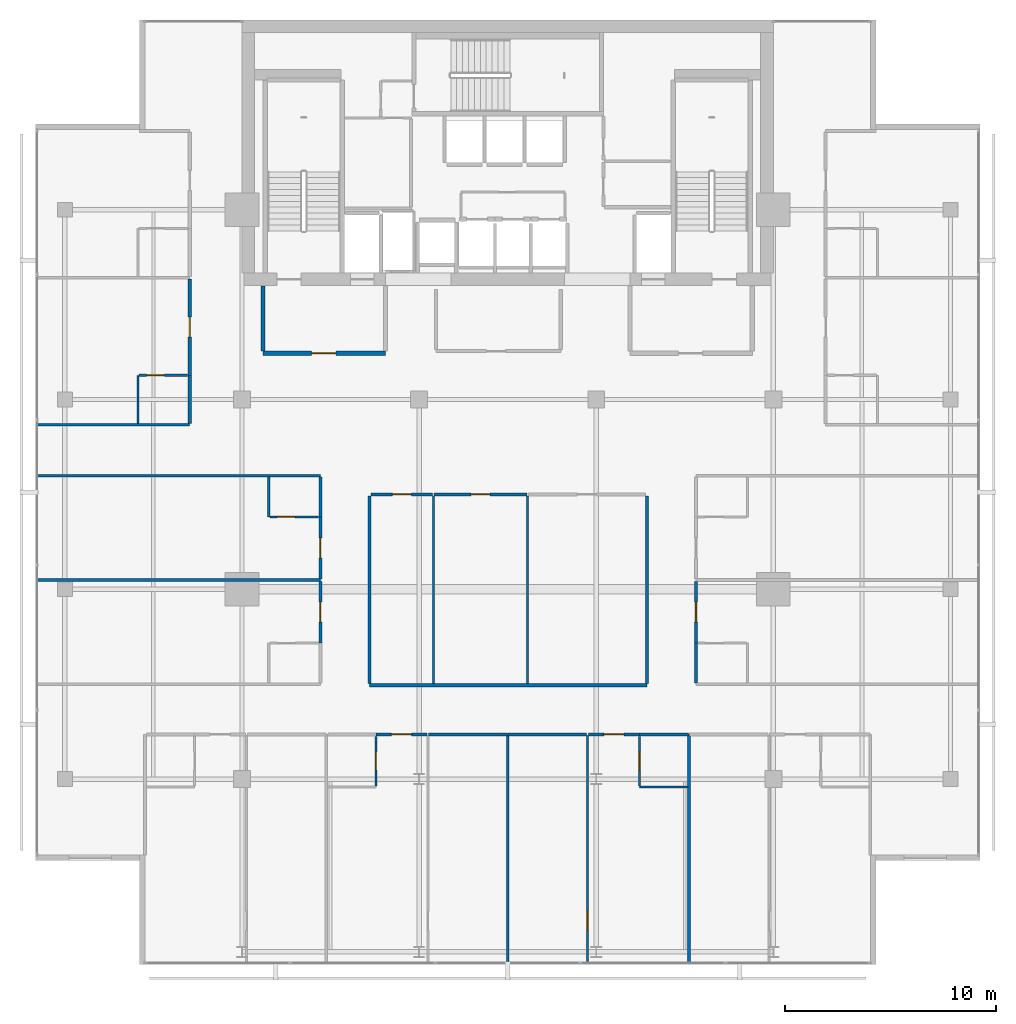
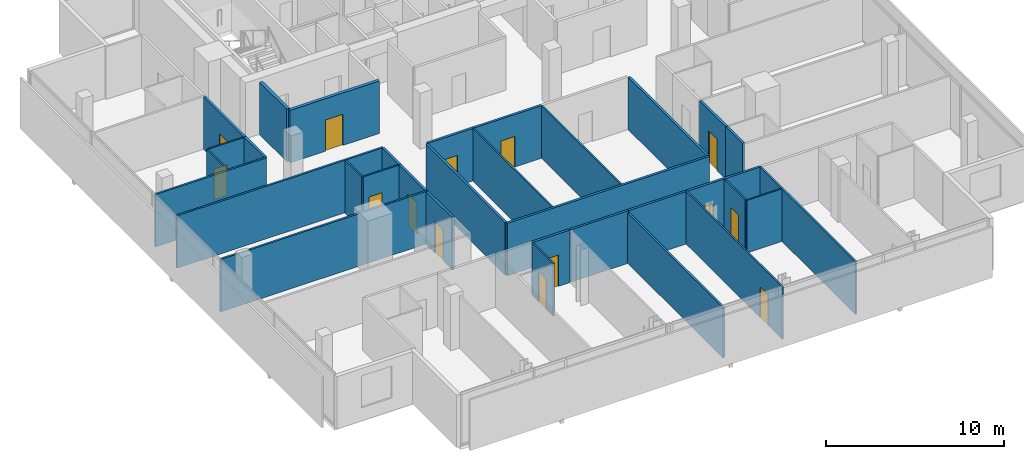
# One storey, part 20 of 26: 34 walls, 14 doors, 14 openings.
"""IFC4 building model written with IfcOpenShell, lengths in metres."""

from ifc_helpers import new_model, si_unit, direction, frame, frame_2d, origin, place, context, subcontext, project, spatial, rectangle, extrude, material, layer, layer_set, type_object, element, fill, save


model = new_model("IFC4")

# Units and contexts
model_context = context("Model", 3, precision=1e-05, world=origin(), true_north=direction((0.0, 1.0)))
body_context = subcontext(model_context, "Body", "Model", "MODEL_VIEW")
ifc_project = project(units=[si_unit("LENGTHUNIT", "METRE"), si_unit("AREAUNIT", "SQUARE_METRE"), si_unit("VOLUMEUNIT", "CUBIC_METRE"), si_unit("PLANEANGLEUNIT", "RADIAN"), si_unit("MASSUNIT", "GRAM", prefix="KILO")], contexts=[model_context])

# Site, building, storey
site_placement = place(None, origin())
site = spatial("IfcSite", under=ifc_project, at=site_placement, CompositionType="ELEMENT")
building_placement = place(site_placement, origin())
building = spatial("IfcBuilding", under=site, at=building_placement, Name="Maruvema Waterfront Hotel and Observation Tower", CompositionType="ELEMENT")
storey_placement = place(building_placement, frame((0.0, 0.0, 258.64990234375)))
storey = spatial("IfcBuildingStorey", under=building, at=storey_placement, Name="L63", CompositionType="ELEMENT", Elevation=258.64990234375)

# Walls
ifc_material_1 = material(Name="Twin-stud acoustic gypsum drywall", Category="gypsum")
ifc_layer_1 = layer(ifc_material_1, 0.14990234375, Name="Acoustic Corridor and Suite Demising Wall 150 mm")
ifc_layer_set_1 = layer_set([ifc_layer_1], Name="Twin-stud acoustic gypsum drywall")
wall_type_1 = type_object("IfcWallType", Name="Acoustic Corridor and Suite Demising Wall 150 mm", PredefinedType="PARTITIONING", material=ifc_layer_set_1)
wall_1_placement = place(storey_placement, frame((31.25, 22.449951171875, 0.0), z_axis=(0.0, 0.0, 1.0), x_axis=(1.0, 0.0, 0.0)))
element("IfcWall", 1, at=wall_1_placement, inside=storey, type_object=wall_type_1, Name="L63 L63-Z3M Back Wall 025", PredefinedType="PARTITIONING", context=body_context, shape_type="SweptSolid", body=[
    extrude(rectangle(XDim=13.14990234375, YDim=0.14990234375, at=frame_2d((6.574951171875, 0.0))), origin(), (0.0, 0.0, 1.0), 3.610107421875),
])
for number, where, z_axis, x_axis, name in (
    (2, (31.25, 22.530029296875, 0.0), (0.0, 0.0, 1.0), (0.0, 1.0, 0.0), "L63 L63-Z3M West Wall 026"),
    (3, (44.39990234375, 22.530029296875, 0.0), (0.0, 0.0, 1.0), (0.0, 1.0, 0.0), "L63 L63-Z3M East Wall 027"),
):
    element("IfcWall", number, at=place(storey_placement, frame(where, z_axis=z_axis, x_axis=x_axis)), inside=storey, type_object=wall_type_1, Name=name, PredefinedType="PARTITIONING", context=body_context, shape_type="SweptSolid", body=[
        extrude(rectangle(XDim=8.889892578125, YDim=0.14990234375, at=frame_2d((4.44482421875, 0.0))), origin(), (0.0, 0.0, 1.0), 3.610107421875),
    ])

# Wall, opening, door
wall_2_placement = place(storey_placement, frame((31.31005859375, 31.5, 0.0), z_axis=(0.0, 0.0, 1.0), x_axis=(1.0, 0.0, 0.0)))
wall_2 = element("IfcWall", 4, at=wall_2_placement, inside=storey, type_object=wall_type_1, Name="L63 L63-Z3M Front 1 028", PredefinedType="PARTITIONING", context=body_context, shape_type="SweptSolid", body=[
    extrude(rectangle(XDim=2.934326171875, YDim=0.14990234375, at=frame_2d((1.46728515625, 0.0))), origin(), (0.0, 0.0, 1.0), 3.610107421875),
])
opening_1_placement = place(wall_2_placement, frame((1.017333984375, 0.0, 0.0)))
opening_1 = element("IfcOpeningElement", 5, at=opening_1_placement, cuts=wall_2, Name="Opening DR-090", PredefinedType="OPENING", context=body_context, shape_type="SweptSolid", body=[
    extrude(rectangle(XDim=0.89990234375, YDim=2.10009765625, at=frame_2d((0.449951171875, 1.050048828125))), frame((0.0, 0.0849609375, 0.0), z_axis=(0.0, -1.0, 0.0), x_axis=(1.0, 0.0, 0.0)), (0.0, 0.0, 1.0), 0.169921875),
])
ifc_material_2 = material(Name="Solid-core lacquered timber leaf", Category="wood")
door_type_1 = type_object("IfcDoorType", Name="Accessible Toilet and Room Door 900x2100 mm", OperationType="NOTDEFINED", PredefinedType="DOOR", material=ifc_material_2)
door_1_placement = place(opening_1_placement, origin())
door_1 = element("IfcDoor", 6, at=door_1_placement, inside=storey, type_object=door_type_1, Name="L63 Sky Study Office 1 Door", OperationType="SINGLE_SWING_RIGHT", OverallHeight=2.10009765625, OverallWidth=0.89990234375, PredefinedType="DOOR", context=body_context, shape_type="SweptSolid", body=[
    extrude(rectangle(XDim=0.89990234375, YDim=2.10009765625, at=frame_2d((0.449951171875, 1.050048828125))), frame((0.0, 0.02490234375, 0.0), z_axis=(0.0, -1.0, 0.0), x_axis=(1.0, 0.0, 0.0)), (0.0, 0.0, 1.0), 0.050048828125),
])
fill(opening_1, door_1)

wall_3_placement = place(storey_placement, frame((34.304443359375, 31.5, 0.0), z_axis=(0.0, 0.0, 1.0), x_axis=(1.0, 0.0, 0.0)))
wall_3 = element("IfcWall", 7, at=wall_3_placement, inside=storey, type_object=wall_type_1, Name="L63 L63-Z3M Front 2 030", PredefinedType="PARTITIONING", context=body_context, shape_type="SweptSolid", body=[
    extrude(rectangle(XDim=4.4111328125, YDim=0.14990234375, at=frame_2d((2.20556640625, 0.0))), origin(), (0.0, 0.0, 1.0), 3.610107421875),
])
opening_2_placement = place(wall_3_placement, frame((1.755615234375, 0.0, 0.0)))
opening_2 = element("IfcOpeningElement", 8, at=opening_2_placement, cuts=wall_3, Name="Opening DR-090", PredefinedType="OPENING", context=body_context, shape_type="SweptSolid", body=[
    extrude(rectangle(XDim=0.89990234375, YDim=2.10009765625, at=frame_2d((0.449951171875, 1.050048828125))), frame((0.0, 0.0849609375, 0.0), z_axis=(0.0, -1.0, 0.0), x_axis=(1.0, 0.0, 0.0)), (0.0, 0.0, 1.0), 0.169921875),
])
door_2_placement = place(opening_2_placement, origin())
door_2 = element("IfcDoor", 9, at=door_2_placement, inside=storey, type_object=door_type_1, Name="L63 Sky Study Office 2 Door", OperationType="SINGLE_SWING_LEFT", OverallHeight=2.10009765625, OverallWidth=0.89990234375, PredefinedType="DOOR", context=body_context, shape_type="SweptSolid", body=[
    extrude(rectangle(XDim=0.89990234375, YDim=2.10009765625, at=frame_2d((0.449951171875, 1.050048828125))), frame((0.0, 0.02490234375, 0.0), z_axis=(0.0, -1.0, 0.0), x_axis=(1.0, 0.0, 0.0)), (0.0, 0.0, 1.0), 0.050048828125),
])
fill(opening_2, door_2)

wall_4_placement = place(storey_placement, frame((31.550048828125, 20.1201171875, 0.0), z_axis=(0.0, 0.0, 1.0), x_axis=(1.0, 0.0, 0.0)))
wall_4 = element("IfcWall", 10, at=wall_4_placement, inside=storey, type_object=wall_type_1, Name="L63 Unit L63-S2 Corridor Wall 045", PredefinedType="PARTITIONING", context=body_context, shape_type="SweptSolid", body=[
    extrude(rectangle(XDim=2.426025390625, YDim=0.14990234375, at=frame_2d((1.212890625, 0.0))), origin(), (0.0, 0.0, 1.0), 3.610107421875),
])
opening_3_placement = place(wall_4_placement, frame((0.738037109375, 0.0, 0.0)))
opening_3 = element("IfcOpeningElement", 11, at=opening_3_placement, cuts=wall_4, Name="Opening DR-095", PredefinedType="OPENING", context=body_context, shape_type="SweptSolid", body=[
    extrude(rectangle(XDim=0.949951171875, YDim=2.14990234375, at=frame_2d((0.47509765625, 1.074951171875))), frame((0.0, 0.0849609375, 0.0), z_axis=(0.0, -1.0, 0.0), x_axis=(1.0, 0.0, 0.0)), (0.0, 0.0, 1.0), 0.169921875),
])
ifc_material_3 = material(Name="Acoustic solid-core hardwood timber leaf", Category="wood")
door_type_2 = type_object("IfcDoorType", Name="Guestroom Entrance Fire Door 950x2150 mm", OperationType="NOTDEFINED", PredefinedType="DOOR", material=ifc_material_3)
door_3_placement = place(opening_3_placement, frame((0.949951171875, 0.0, 0.0), z_axis=(0.0, 0.0, 1.0), x_axis=(-1.0, 0.0, 0.0)))
door_3 = element("IfcDoor", 12, at=door_3_placement, inside=storey, type_object=door_type_2, Name="L63 Unit L63-S2 Entrance Door", OperationType="SINGLE_SWING_LEFT", OverallHeight=2.14990234375, OverallWidth=0.949951171875, PredefinedType="DOOR", context=body_context, shape_type="SweptSolid", body=[
    extrude(rectangle(XDim=0.949951171875, YDim=2.14990234375, at=frame_2d((0.47509765625, 1.074951171875))), frame((0.0, 0.02490234375, 0.0), z_axis=(0.0, -1.0, 0.0), x_axis=(1.0, 0.0, 0.0)), (0.0, 0.0, 1.0), 0.050048828125),
])
fill(opening_3, door_3)

# Walls
wall_5_placement = place(storey_placement, frame((34.055908203125, 20.1201171875, 0.0), z_axis=(0.0, 0.0, 1.0), x_axis=(1.0, 0.0, 0.0)))
element("IfcWall", 13, at=wall_5_placement, inside=storey, type_object=wall_type_1, Name="L63 Bedroom L63-S2 Back Wall 046", PredefinedType="PARTITIONING", context=body_context, shape_type="SweptSolid", body=[
    extrude(rectangle(XDim=3.72412109375, YDim=0.14990234375, at=frame_2d((1.862060546875, 0.0))), origin(), (0.0, 0.0, 1.0), 3.610107421875),
])
wall_6_placement = place(storey_placement, frame((44.050048828125, 20.1201171875, 0.0), z_axis=(0.0, 0.0, 1.0), x_axis=(1.0, 0.0, 0.0)))
element("IfcWall", 14, at=wall_6_placement, inside=storey, type_object=wall_type_1, Name="L63 Bath L63-S3 Back Wall 049", PredefinedType="PARTITIONING", context=body_context, shape_type="SweptSolid", body=[
    extrude(rectangle(XDim=2.329833984375, YDim=0.14990234375, at=frame_2d((1.1650390625, 0.0))), origin(), (0.0, 0.0, 1.0), 3.610107421875),
])
wall_7_placement = place(storey_placement, frame((37.820068359375, 20.1201171875, 0.0), z_axis=(0.0, 0.0, 1.0), x_axis=(1.0, 0.0, 0.0)))
element("IfcWall", 15, at=wall_7_placement, inside=storey, type_object=wall_type_1, Name="L63 Bedroom L63-S3 Back Wall 052", PredefinedType="PARTITIONING", context=body_context, shape_type="SweptSolid", body=[
    extrude(rectangle(XDim=3.723876953125, YDim=0.14990234375, at=frame_2d((1.86181640625, 0.0))), origin(), (0.0, 0.0, 1.0), 3.610107421875),
])

# Wall, opening, door
wall_8_placement = place(storey_placement, frame((41.6240234375, 20.1201171875, 0.0), z_axis=(0.0, 0.0, 1.0), x_axis=(1.0, 0.0, 0.0)))
wall_8 = element("IfcWall", 16, at=wall_8_placement, inside=storey, type_object=wall_type_1, Name="L63 Unit L63-S3 Corridor Wall 053", PredefinedType="PARTITIONING", context=body_context, shape_type="SweptSolid", body=[
    extrude(rectangle(XDim=2.426025390625, YDim=0.14990234375, at=frame_2d((1.212890625, 0.0))), origin(), (0.0, 0.0, 1.0), 3.610107421875),
])
opening_4_placement = place(wall_8_placement, frame((0.738037109375, 0.0, 0.0)))
opening_4 = element("IfcOpeningElement", 17, at=opening_4_placement, cuts=wall_8, Name="Opening DR-095", PredefinedType="OPENING", context=body_context, shape_type="SweptSolid", body=[
    extrude(rectangle(XDim=0.949951171875, YDim=2.14990234375, at=frame_2d((0.47509765625, 1.074951171875))), frame((0.0, 0.0849609375, 0.0), z_axis=(0.0, -1.0, 0.0), x_axis=(1.0, 0.0, 0.0)), (0.0, 0.0, 1.0), 0.169921875),
])
door_4_placement = place(opening_4_placement, frame((0.949951171875, 0.0, 0.0), z_axis=(0.0, 0.0, 1.0), x_axis=(-1.0, 0.0, 0.0)))
door_4 = element("IfcDoor", 18, at=door_4_placement, inside=storey, type_object=door_type_2, Name="L63 Unit L63-S3 Entrance Door", OperationType="SINGLE_SWING_RIGHT", OverallHeight=2.14990234375, OverallWidth=0.949951171875, PredefinedType="DOOR", context=body_context, shape_type="SweptSolid", body=[
    extrude(rectangle(XDim=0.949951171875, YDim=2.14990234375, at=frame_2d((0.47509765625, 1.074951171875))), frame((0.0, 0.02490234375, 0.0), z_axis=(0.0, -1.0, 0.0), x_axis=(1.0, 0.0, 0.0)), (0.0, 0.0, 1.0), 0.050048828125),
])
fill(opening_4, door_4)

wall_9_placement = place(storey_placement, frame((28.919921875, 24.449951171875, 0.0), z_axis=(0.0, 0.0, 1.0), x_axis=(0.0, 1.0, 0.0)))
wall_9 = element("IfcWall", 19, at=wall_9_placement, inside=storey, type_object=wall_type_1, Name="L63 Room L63-W1 Corridor Wall 067", PredefinedType="PARTITIONING", context=body_context, shape_type="SweptSolid", body=[
    extrude(rectangle(XDim=2.929931640625, YDim=0.14990234375, at=frame_2d((1.46484375, 0.0))), origin(), (0.0, 0.0, 1.0), 3.610107421875),
])
opening_5_placement = place(wall_9_placement, frame((0.989990234375, 0.0, 0.0)))
opening_5 = element("IfcOpeningElement", 20, at=opening_5_placement, cuts=wall_9, Name="Opening DR-095", PredefinedType="OPENING", context=body_context, shape_type="SweptSolid", body=[
    extrude(rectangle(XDim=0.949951171875, YDim=2.14990234375, at=frame_2d((0.47509765625, 1.074951171875))), frame((0.0, 0.0849609375, 0.0), z_axis=(0.0, -1.0, 0.0), x_axis=(1.0, 0.0, 0.0)), (0.0, 0.0, 1.0), 0.169921875),
])
door_5_placement = place(opening_5_placement, origin())
door_5 = element("IfcDoor", 21, at=door_5_placement, inside=storey, type_object=door_type_2, Name="L63 Room L63-W1 Entrance Door", OperationType="SINGLE_SWING_RIGHT", OverallHeight=2.14990234375, OverallWidth=0.949951171875, PredefinedType="DOOR", context=body_context, shape_type="SweptSolid", body=[
    extrude(rectangle(XDim=0.949951171875, YDim=2.14990234375, at=frame_2d((0.47509765625, 1.074951171875))), frame((0.0, 0.02490234375, 0.0), z_axis=(0.0, -1.0, 0.0), x_axis=(1.0, 0.0, 0.0)), (0.0, 0.0, 1.0), 0.050048828125),
])
fill(opening_5, door_5)

# Wall
wall_10_placement = place(storey_placement, frame((46.72998046875, 22.56005859375, 0.0), z_axis=(0.0, 0.0, 1.0), x_axis=(0.0, 1.0, 0.0)))
element("IfcWall", 22, at=wall_10_placement, inside=storey, type_object=wall_type_1, Name="L63 Bath L63-E1 Wall 070", PredefinedType="PARTITIONING", context=body_context, shape_type="SweptSolid", body=[
    extrude(rectangle(XDim=1.889892578125, YDim=0.14990234375, at=frame_2d((0.94482421875, 0.0))), origin(), (0.0, 0.0, 1.0), 3.610107421875),
])

# Wall, opening, door
wall_11_placement = place(storey_placement, frame((46.72998046875, 24.449951171875, 0.0), z_axis=(0.0, 0.0, 1.0), x_axis=(0.0, 1.0, 0.0)))
wall_11 = element("IfcWall", 23, at=wall_11_placement, inside=storey, type_object=wall_type_1, Name="L63 Room L63-E1 Corridor Wall 071", PredefinedType="PARTITIONING", context=body_context, shape_type="SweptSolid", body=[
    extrude(rectangle(XDim=2.929931640625, YDim=0.14990234375, at=frame_2d((1.46484375, 0.0))), origin(), (0.0, 0.0, 1.0), 3.610107421875),
])
opening_6_placement = place(wall_11_placement, frame((0.989990234375, 0.0, 0.0)))
opening_6 = element("IfcOpeningElement", 24, at=opening_6_placement, cuts=wall_11, Name="Opening DR-095", PredefinedType="OPENING", context=body_context, shape_type="SweptSolid", body=[
    extrude(rectangle(XDim=0.949951171875, YDim=2.14990234375, at=frame_2d((0.47509765625, 1.074951171875))), frame((0.0, 0.0849609375, 0.0), z_axis=(0.0, -1.0, 0.0), x_axis=(1.0, 0.0, 0.0)), (0.0, 0.0, 1.0), 0.169921875),
])
door_6_placement = place(opening_6_placement, frame((0.949951171875, 0.0, 0.0), z_axis=(0.0, 0.0, 1.0), x_axis=(-1.0, 0.0, 0.0)))
door_6 = element("IfcDoor", 25, at=door_6_placement, inside=storey, type_object=door_type_2, Name="L63 Room L63-E1 Entrance Door", OperationType="SINGLE_SWING_RIGHT", OverallHeight=2.14990234375, OverallWidth=0.949951171875, PredefinedType="DOOR", context=body_context, shape_type="SweptSolid", body=[
    extrude(rectangle(XDim=0.949951171875, YDim=2.14990234375, at=frame_2d((0.47509765625, 1.074951171875))), frame((0.0, 0.02490234375, 0.0), z_axis=(0.0, -1.0, 0.0), x_axis=(1.0, 0.0, 0.0)), (0.0, 0.0, 1.0), 0.050048828125),
])
fill(opening_6, door_6)

wall_12_placement = place(storey_placement, frame((28.919921875, 27.5, 0.0), z_axis=(0.0, 0.0, 1.0), x_axis=(0.0, 1.0, 0.0)))
wall_12 = element("IfcWall", 26, at=wall_12_placement, inside=storey, type_object=wall_type_1, Name="L63 Room L63-W2 Corridor Wall 076", PredefinedType="PARTITIONING", context=body_context, shape_type="SweptSolid", body=[
    extrude(rectangle(XDim=2.929931640625, YDim=0.14990234375, at=frame_2d((1.46484375, 0.0))), origin(), (0.0, 0.0, 1.0), 3.610107421875),
])
opening_7_placement = place(wall_12_placement, frame((0.989990234375, 0.0, 0.0)))
opening_7 = element("IfcOpeningElement", 27, at=opening_7_placement, cuts=wall_12, Name="Opening DR-095", PredefinedType="OPENING", context=body_context, shape_type="SweptSolid", body=[
    extrude(rectangle(XDim=0.949951171875, YDim=2.14990234375, at=frame_2d((0.47509765625, 1.074951171875))), frame((0.0, 0.0849609375, 0.0), z_axis=(0.0, -1.0, 0.0), x_axis=(1.0, 0.0, 0.0)), (0.0, 0.0, 1.0), 0.169921875),
])
door_7_placement = place(opening_7_placement, origin())
door_7 = element("IfcDoor", 28, at=door_7_placement, inside=storey, type_object=door_type_2, Name="L63 Room L63-W2 Entrance Door", OperationType="SINGLE_SWING_RIGHT", OverallHeight=2.14990234375, OverallWidth=0.949951171875, PredefinedType="DOOR", context=body_context, shape_type="SweptSolid", body=[
    extrude(rectangle(XDim=0.949951171875, YDim=2.14990234375, at=frame_2d((0.47509765625, 1.074951171875))), frame((0.0, 0.02490234375, 0.0), z_axis=(0.0, -1.0, 0.0), x_axis=(1.0, 0.0, 0.0)), (0.0, 0.0, 1.0), 0.050048828125),
])
fill(opening_7, door_7)

# Walls
wall_13_placement = place(storey_placement, frame((28.919921875, 30.429931640625, 0.0), z_axis=(0.0, 0.0, 1.0), x_axis=(0.0, 1.0, 0.0)))
element("IfcWall", 29, at=wall_13_placement, inside=storey, type_object=wall_type_1, Name="L63 Bath L63-W2 Wall 077", PredefinedType="PARTITIONING", context=body_context, shape_type="SweptSolid", body=[
    extrude(rectangle(XDim=1.89013671875, YDim=0.14990234375, at=frame_2d((0.945068359375, 0.0))), origin(), (0.0, 0.0, 1.0), 3.610107421875),
])
wall_14_placement = place(storey_placement, frame((22.719970703125, 34.860107421875, 0.0), z_axis=(0.0, 0.0, 1.0), x_axis=(0.0, 1.0, 0.0)))
element("IfcWall", 30, at=wall_14_placement, inside=storey, type_object=wall_type_1, Name="L63 Bath L63-NW1 Wall 088", PredefinedType="PARTITIONING", context=body_context, shape_type="SweptSolid", body=[
    extrude(rectangle(XDim=2.289794921875, YDim=0.14990234375, at=frame_2d((1.14501953125, 0.0))), origin(), (0.0, 0.0, 1.0), 3.610107421875),
])

# Wall, opening, door
wall_15_placement = place(storey_placement, frame((22.719970703125, 37.14990234375, 0.0), z_axis=(0.0, 0.0, 1.0), x_axis=(0.0, 1.0, 0.0)))
wall_15 = element("IfcWall", 31, at=wall_15_placement, inside=storey, type_object=wall_type_1, Name="L63 Room L63-NW1 Corridor Wall 089", PredefinedType="PARTITIONING", context=body_context, shape_type="SweptSolid", body=[
    extrude(rectangle(XDim=4.558837890625, YDim=0.14990234375, at=frame_2d((2.279296875, 0.0))), origin(), (0.0, 0.0, 1.0), 3.610107421875),
])
opening_8_placement = place(wall_15_placement, frame((1.804443359375, 0.0, 0.0)))
opening_8 = element("IfcOpeningElement", 32, at=opening_8_placement, cuts=wall_15, Name="Opening DR-095", PredefinedType="OPENING", context=body_context, shape_type="SweptSolid", body=[
    extrude(rectangle(XDim=0.949951171875, YDim=2.14990234375, at=frame_2d((0.47509765625, 1.074951171875))), frame((0.0, 0.0849609375, 0.0), z_axis=(0.0, -1.0, 0.0), x_axis=(1.0, 0.0, 0.0)), (0.0, 0.0, 1.0), 0.169921875),
])
door_8_placement = place(opening_8_placement, origin())
door_8 = element("IfcDoor", 33, at=door_8_placement, inside=storey, type_object=door_type_2, Name="L63 Room L63-NW1 Entrance Door", OperationType="SINGLE_SWING_RIGHT", OverallHeight=2.14990234375, OverallWidth=0.949951171875, PredefinedType="DOOR", context=body_context, shape_type="SweptSolid", body=[
    extrude(rectangle(XDim=0.949951171875, YDim=2.14990234375, at=frame_2d((0.47509765625, 1.074951171875))), frame((0.0, 0.02490234375, 0.0), z_axis=(0.0, -1.0, 0.0), x_axis=(1.0, 0.0, 0.0)), (0.0, 0.0, 1.0), 0.050048828125),
])
fill(opening_8, door_8)

# Walls
ifc_material_4 = material(Name="Moisture-resistant cement-board drywall", Category="gypsum")
ifc_layer_2 = layer(ifc_material_4, 0.10009765625, Name="En-Suite Moisture-Resistant Partition 100 mm")
ifc_layer_set_2 = layer_set([ifc_layer_2], Name="Moisture-resistant cement-board drywall")
wall_type_2 = type_object("IfcWallType", Name="En-Suite Moisture-Resistant Partition 100 mm", PredefinedType="PARTITIONING", material=ifc_layer_set_2)
for number, where, z_axis, x_axis, name in (
    (34, (34.2744140625, 22.530029296875, 0.0), (0.0, 0.0, 1.0), (0.0, 1.0, 0.0), "L63 L63-Z3M Split 1 029"),
    (35, (38.74560546875, 22.530029296875, 0.0), (0.0, 0.0, 1.0), (0.0, 1.0, 0.0), "L63 L63-Z3M Split 2 031"),
):
    element("IfcWall", number, at=place(storey_placement, frame(where, z_axis=z_axis, x_axis=x_axis)), inside=storey, type_object=wall_type_2, Name=name, PredefinedType="PARTITIONING", context=body_context, shape_type="SweptSolid", body=[
        extrude(rectangle(XDim=8.889892578125, YDim=0.10009765625, at=frame_2d((4.44482421875, 0.0))), origin(), (0.0, 0.0, 1.0), 3.610107421875),
    ])

# Wall, opening, door
wall_16_placement = place(storey_placement, frame((31.550048828125, 17.679931640625, 0.0), z_axis=(0.0, 0.0, 1.0), x_axis=(0.0, 1.0, 0.0)))
wall_16 = element("IfcWall", 36, at=wall_16_placement, inside=storey, type_object=wall_type_2, Name="L63 En-Suite L63-S2 East 044", PredefinedType="PARTITIONING", context=body_context, shape_type="SweptSolid", body=[
    extrude(rectangle(XDim=2.340087890625, YDim=0.10009765625, at=frame_2d((1.169921875, 0.0))), origin(), (0.0, 0.0, 1.0), 3.610107421875),
])
opening_9_placement = place(wall_16_placement, frame((0.7451171875, 0.0, 0.0)))
opening_9 = element("IfcOpeningElement", 37, at=opening_9_placement, cuts=wall_16, Name="Opening DR-085", PredefinedType="OPENING", context=body_context, shape_type="SweptSolid", body=[
    extrude(rectangle(XDim=0.85009765625, YDim=2.10009765625, at=frame_2d((0.425048828125, 1.050048828125))), frame((0.0, 0.06005859375, 0.0), z_axis=(0.0, -1.0, 0.0), x_axis=(1.0, 0.0, 0.0)), (0.0, 0.0, 1.0), 0.1201171875),
])
ifc_material_5 = material(Name="Moisture-resistant solid timber leaf", Category="wood")
door_type_3 = type_object("IfcDoorType", Name="En-Suite Bathroom Door 850x2100 mm", OperationType="NOTDEFINED", PredefinedType="DOOR", material=ifc_material_5)
door_9_placement = place(opening_9_placement, frame((0.85009765625, 0.0, 0.0), z_axis=(0.0, 0.0, 1.0), x_axis=(-1.0, 0.0, 0.0)))
door_9 = element("IfcDoor", 38, at=door_9_placement, inside=storey, type_object=door_type_3, Name="L63 En-Suite L63-S2 Door", OperationType="SINGLE_SWING_RIGHT", OverallHeight=2.10009765625, OverallWidth=0.85009765625, PredefinedType="DOOR", context=body_context, shape_type="SweptSolid", body=[
    extrude(rectangle(XDim=0.85009765625, YDim=2.10009765625, at=frame_2d((0.425048828125, 1.050048828125))), frame((0.0, 0.02490234375, 0.0), z_axis=(0.0, -1.0, 0.0), x_axis=(1.0, 0.0, 0.0)), (0.0, 0.0, 1.0), 0.050048828125),
])
fill(opening_9, door_9)

# Wall
wall_17_placement = place(storey_placement, frame((44.050048828125, 17.6201171875, 0.0), z_axis=(0.0, 0.0, 1.0), x_axis=(1.0, 0.0, 0.0)))
element("IfcWall", 39, at=wall_17_placement, inside=storey, type_object=wall_type_2, Name="L63 En-Suite L63-S3 South 050", PredefinedType="PARTITIONING", context=body_context, shape_type="SweptSolid", body=[
    extrude(rectangle(XDim=2.31005859375, YDim=0.10009765625, at=frame_2d((1.155029296875, 0.0))), origin(), (0.0, 0.0, 1.0), 3.610107421875),
])

# Wall, opening, door
wall_18_placement = place(storey_placement, frame((44.050048828125, 17.679931640625, 0.0), z_axis=(0.0, 0.0, 1.0), x_axis=(0.0, 1.0, 0.0)))
wall_18 = element("IfcWall", 40, at=wall_18_placement, inside=storey, type_object=wall_type_2, Name="L63 En-Suite L63-S3 West 051", PredefinedType="PARTITIONING", context=body_context, shape_type="SweptSolid", body=[
    extrude(rectangle(XDim=2.340087890625, YDim=0.10009765625, at=frame_2d((1.169921875, 0.0))), origin(), (0.0, 0.0, 1.0), 3.610107421875),
])
opening_10_placement = place(wall_18_placement, frame((0.7451171875, 0.0, 0.0)))
opening_10 = element("IfcOpeningElement", 41, at=opening_10_placement, cuts=wall_18, Name="Opening DR-085", PredefinedType="OPENING", context=body_context, shape_type="SweptSolid", body=[
    extrude(rectangle(XDim=0.85009765625, YDim=2.10009765625, at=frame_2d((0.425048828125, 1.050048828125))), frame((0.0, 0.06005859375, 0.0), z_axis=(0.0, -1.0, 0.0), x_axis=(1.0, 0.0, 0.0)), (0.0, 0.0, 1.0), 0.1201171875),
])
door_10_placement = place(opening_10_placement, origin())
door_10 = element("IfcDoor", 42, at=door_10_placement, inside=storey, type_object=door_type_3, Name="L63 En-Suite L63-S3 Door", OperationType="SINGLE_SWING_LEFT", OverallHeight=2.10009765625, OverallWidth=0.85009765625, PredefinedType="DOOR", context=body_context, shape_type="SweptSolid", body=[
    extrude(rectangle(XDim=0.85009765625, YDim=2.10009765625, at=frame_2d((0.425048828125, 1.050048828125))), frame((0.0, 0.02490234375, 0.0), z_axis=(0.0, -1.0, 0.0), x_axis=(1.0, 0.0, 0.0)), (0.0, 0.0, 1.0), 0.050048828125),
])
fill(opening_10, door_10)

wall_19_placement = place(storey_placement, frame((41.583984375, 9.22998046875, 0.0), z_axis=(0.0, 0.0, 1.0), x_axis=(0.0, 1.0, 0.0)))
wall_19 = element("IfcWall", 43, at=wall_19_placement, inside=storey, type_object=wall_type_2, Name="L63 Suite L63-S3 Split 054", PredefinedType="PARTITIONING", context=body_context, shape_type="SweptSolid", body=[
    extrude(rectangle(XDim=10.830078125, YDim=0.10009765625, at=frame_2d((5.4150390625, 0.0))), origin(), (0.0, 0.0, 1.0), 3.610107421875),
])
opening_11_placement = place(wall_19_placement, frame((1.60009765625, 0.0, 0.0)))
opening_11 = element("IfcOpeningElement", 44, at=opening_11_placement, cuts=wall_19, Name="Opening DR-090", PredefinedType="OPENING", context=body_context, shape_type="SweptSolid", body=[
    extrude(rectangle(XDim=0.89990234375, YDim=2.10009765625, at=frame_2d((0.449951171875, 1.050048828125))), frame((0.0, 0.06005859375, 0.0), z_axis=(0.0, -1.0, 0.0), x_axis=(1.0, 0.0, 0.0)), (0.0, 0.0, 1.0), 0.1201171875),
])
door_11_placement = place(opening_11_placement, frame((0.89990234375, 0.0, 0.0), z_axis=(0.0, 0.0, 1.0), x_axis=(-1.0, 0.0, 0.0)))
door_11 = element("IfcDoor", 45, at=door_11_placement, inside=storey, type_object=door_type_1, Name="L63 Suite L63-S3 Bedroom Door", OperationType="SINGLE_SWING_LEFT", OverallHeight=2.10009765625, OverallWidth=0.89990234375, PredefinedType="DOOR", context=body_context, shape_type="SweptSolid", body=[
    extrude(rectangle(XDim=0.89990234375, YDim=2.10009765625, at=frame_2d((0.449951171875, 1.050048828125))), frame((0.0, 0.02490234375, 0.0), z_axis=(0.0, -1.0, 0.0), x_axis=(1.0, 0.0, 0.0)), (0.0, 0.0, 1.0), 0.050048828125),
])
fill(opening_11, door_11)

# Wall
wall_20_placement = place(storey_placement, frame((26.469970703125, 30.429931640625, 0.0), z_axis=(0.0, 0.0, 1.0), x_axis=(0.0, 1.0, 0.0)))
element("IfcWall", 46, at=wall_20_placement, inside=storey, type_object=wall_type_2, Name="L63 En-Suite L63-W2 W 078", PredefinedType="PARTITIONING", context=body_context, shape_type="SweptSolid", body=[
    extrude(rectangle(XDim=1.89013671875, YDim=0.10009765625, at=frame_2d((0.945068359375, 0.0))), origin(), (0.0, 0.0, 1.0), 3.610107421875),
])

# Wall, opening, door
wall_21_placement = place(storey_placement, frame((26.52001953125, 30.429931640625, 0.0), z_axis=(0.0, 0.0, 1.0), x_axis=(1.0, 0.0, 0.0)))
wall_21 = element("IfcWall", 47, at=wall_21_placement, inside=storey, type_object=wall_type_2, Name="L63 En-Suite L63-W2 S 079", PredefinedType="PARTITIONING", context=body_context, shape_type="SweptSolid", body=[
    extrude(rectangle(XDim=2.300048828125, YDim=0.10009765625, at=frame_2d((1.14990234375, 0.0))), origin(), (0.0, 0.0, 1.0), 3.610107421875),
])
opening_12_placement = place(wall_21_placement, frame((0.35009765625, 0.0, 0.0)))
opening_12 = element("IfcOpeningElement", 48, at=opening_12_placement, cuts=wall_21, Name="Opening DR-085", PredefinedType="OPENING", context=body_context, shape_type="SweptSolid", body=[
    extrude(rectangle(XDim=0.85009765625, YDim=2.10009765625, at=frame_2d((0.425048828125, 1.050048828125))), frame((0.0, 0.06005859375, 0.0), z_axis=(0.0, -1.0, 0.0), x_axis=(1.0, 0.0, 0.0)), (0.0, 0.0, 1.0), 0.1201171875),
])
door_12_placement = place(opening_12_placement, frame((0.85009765625, 0.0, 0.0), z_axis=(0.0, 0.0, 1.0), x_axis=(-1.0, 0.0, 0.0)))
door_12 = element("IfcDoor", 49, at=door_12_placement, inside=storey, type_object=door_type_3, Name="L63 En-Suite L63-W2 Door", OperationType="SINGLE_SWING_LEFT", OverallHeight=2.10009765625, OverallWidth=0.85009765625, PredefinedType="DOOR", context=body_context, shape_type="SweptSolid", body=[
    extrude(rectangle(XDim=0.85009765625, YDim=2.10009765625, at=frame_2d((0.425048828125, 1.050048828125))), frame((0.0, 0.02490234375, 0.0), z_axis=(0.0, -1.0, 0.0), x_axis=(1.0, 0.0, 0.0)), (0.0, 0.0, 1.0), 0.050048828125),
])
fill(opening_12, door_12)

# Wall
wall_22_placement = place(storey_placement, frame((20.27001953125, 34.860107421875, 0.0), z_axis=(0.0, 0.0, 1.0), x_axis=(0.0, 1.0, 0.0)))
element("IfcWall", 50, at=wall_22_placement, inside=storey, type_object=wall_type_2, Name="L63 En-Suite L63-NW1 W 090", PredefinedType="PARTITIONING", context=body_context, shape_type="SweptSolid", body=[
    extrude(rectangle(XDim=2.289794921875, YDim=0.10009765625, at=frame_2d((1.14501953125, 0.0))), origin(), (0.0, 0.0, 1.0), 3.610107421875),
])

# Wall, opening, door
wall_23_placement = place(storey_placement, frame((20.320068359375, 37.14990234375, 0.0), z_axis=(0.0, 0.0, 1.0), x_axis=(1.0, 0.0, 0.0)))
wall_23 = element("IfcWall", 51, at=wall_23_placement, inside=storey, type_object=wall_type_2, Name="L63 En-Suite L63-NW1 N 091", PredefinedType="PARTITIONING", context=body_context, shape_type="SweptSolid", body=[
    extrude(rectangle(XDim=2.300048828125, YDim=0.10009765625, at=frame_2d((1.14990234375, 0.0))), origin(), (0.0, 0.0, 1.0), 3.610107421875),
])
opening_13_placement = place(wall_23_placement, frame((0.35009765625, 0.0, 0.0)))
opening_13 = element("IfcOpeningElement", 52, at=opening_13_placement, cuts=wall_23, Name="Opening DR-085", PredefinedType="OPENING", context=body_context, shape_type="SweptSolid", body=[
    extrude(rectangle(XDim=0.85009765625, YDim=2.10009765625, at=frame_2d((0.425048828125, 1.050048828125))), frame((0.0, 0.06005859375, 0.0), z_axis=(0.0, -1.0, 0.0), x_axis=(1.0, 0.0, 0.0)), (0.0, 0.0, 1.0), 0.1201171875),
])
door_13_placement = place(opening_13_placement, origin())
door_13 = element("IfcDoor", 53, at=door_13_placement, inside=storey, type_object=door_type_3, Name="L63 En-Suite L63-NW1 Door", OperationType="SINGLE_SWING_LEFT", OverallHeight=2.10009765625, OverallWidth=0.85009765625, PredefinedType="DOOR", context=body_context, shape_type="SweptSolid", body=[
    extrude(rectangle(XDim=0.85009765625, YDim=2.10009765625, at=frame_2d((0.425048828125, 1.050048828125))), frame((0.0, 0.02490234375, 0.0), z_axis=(0.0, -1.0, 0.0), x_axis=(1.0, 0.0, 0.0)), (0.0, 0.0, 1.0), 0.050048828125),
])
fill(opening_13, door_13)

ifc_material_6 = material(Name="Autoclaved cellular concrete blockwork", Category="masonry")
ifc_layer_3 = layer(ifc_material_6, 0.199951171875, Name="Fire Compartment Masonry Wall 200 mm")
ifc_layer_set_3 = layer_set([ifc_layer_3], Name="Autoclaved cellular concrete blockwork")
wall_type_3 = type_object("IfcWallType", Name="Fire Compartment Masonry Wall 200 mm", PredefinedType="PARTITIONING", material=ifc_layer_set_3)
wall_24_placement = place(storey_placement, frame((26.199951171875, 38.199951171875, 0.0), z_axis=(0.0, 0.0, 1.0), x_axis=(1.0, 0.0, 0.0)))
wall_24 = element("IfcWall", 54, at=wall_24_placement, inside=storey, type_object=wall_type_3, Name="L63 FFL West South Wall 001", PredefinedType="PARTITIONING", context=body_context, shape_type="SweptSolid", body=[
    extrude(rectangle(XDim=5.800048828125, YDim=0.199951171875, at=frame_2d((2.89990234375, 0.0))), origin(), (0.0, 0.0, 1.0), 3.610107421875),
])
opening_14_placement = place(wall_24_placement, frame((2.300048828125, 0.0, 0.0)))
opening_14 = element("IfcOpeningElement", 55, at=opening_14_placement, cuts=wall_24, Name="Opening FD-115", PredefinedType="OPENING", context=body_context, shape_type="SweptSolid", body=[
    extrude(rectangle(XDim=1.14990234375, YDim=2.14990234375, at=frame_2d((0.574951171875, 1.074951171875))), frame((0.0, 0.10986328125, 0.0), z_axis=(0.0, -1.0, 0.0), x_axis=(1.0, 0.0, 0.0)), (0.0, 0.0, 1.0), 0.219970703125),
])
ifc_material_7 = material(Name="Fire-rated galvanised steel and vision glass", Category="steel")
door_type_4 = type_object("IfcDoorType", Name="Firefighting Lobby Fire Door 1150x2150 mm", OperationType="NOTDEFINED", PredefinedType="DOOR", material=ifc_material_7)
door_14_placement = place(opening_14_placement, frame((1.14990234375, 0.0, 0.0), z_axis=(0.0, 0.0, 1.0), x_axis=(-1.0, 0.0, 0.0)))
door_14 = element("IfcDoor", 56, at=door_14_placement, inside=storey, type_object=door_type_4, Name="L63 Firefighting Lobby West Door", OperationType="SINGLE_SWING_LEFT", OverallHeight=2.14990234375, OverallWidth=1.14990234375, PredefinedType="DOOR", context=body_context, shape_type="SweptSolid", body=[
    extrude(rectangle(XDim=1.14990234375, YDim=2.14990234375, at=frame_2d((0.574951171875, 1.074951171875))), frame((0.0, 0.02490234375, 0.0), z_axis=(0.0, -1.0, 0.0), x_axis=(1.0, 0.0, 0.0)), (0.0, 0.0, 1.0), 0.050048828125),
])
fill(opening_14, door_14)

# Walls
wall_25_placement = place(storey_placement, frame((26.199951171875, 38.31005859375, 0.0), z_axis=(0.0, 0.0, 1.0), x_axis=(0.0, 1.0, 0.0)))
element("IfcWall", 57, at=wall_25_placement, inside=storey, type_object=wall_type_3, Name="L63 FFL West West Wall 002", PredefinedType="PARTITIONING", context=body_context, shape_type="SweptSolid", body=[
    extrude(rectangle(XDim=3.06982421875, YDim=0.199951171875, at=frame_2d((1.534912109375, 0.0))), origin(), (0.0, 0.0, 1.0), 3.610107421875),
])
ifc_material_8 = material(Name="Acoustic gypsum plasterboard drywall", Category="gypsum")
ifc_layer_4 = layer(ifc_material_8, 0.125, Name="Guestroom Acoustic Demising Wall 125 mm")
ifc_layer_set_4 = layer_set([ifc_layer_4], Name="Acoustic gypsum plasterboard drywall")
wall_type_4 = type_object("IfcWallType", Name="Guestroom Acoustic Demising Wall 125 mm", PredefinedType="PARTITIONING", material=ifc_layer_set_4)
wall_26_placement = place(storey_placement, frame((37.800048828125, 9.300048828125, 0.0), z_axis=(0.0, 0.0, 1.0), x_axis=(0.0, 1.0, 0.0)))
element("IfcWall", 58, at=wall_26_placement, inside=storey, type_object=wall_type_4, Name="L63 Z3 S Demising 3 048", PredefinedType="PARTITIONING", context=body_context, shape_type="SweptSolid", body=[
    extrude(rectangle(XDim=10.820068359375, YDim=0.125, at=frame_2d((5.41015625, 0.0))), origin(), (0.0, 0.0, 1.0), 3.45703125),
])
wall_27_placement = place(storey_placement, frame((46.39990234375, 9.300048828125, 0.0), z_axis=(0.0, 0.0, 1.0), x_axis=(0.0, 1.0, 0.0)))
element("IfcWall", 59, at=wall_27_placement, inside=storey, type_object=wall_type_4, Name="L63 Z3 S Demising 4 055", PredefinedType="PARTITIONING", context=body_context, shape_type="SweptSolid", body=[
    extrude(rectangle(XDim=10.820068359375, YDim=0.125, at=frame_2d((5.41015625, 0.0))), origin(), (0.0, 0.0, 1.0), 3.610107421875),
])
for number, where, z_axis, x_axis, name in (
    (60, (15.5, 32.3798828125, 0.0), (0.0, 0.0, 1.0), (1.0, 0.0, 0.0), "L63 Z3 W Top End 064"),
    (61, (15.5, 27.43994140625, 0.0), (0.0, 0.0, 1.0), (1.0, 0.0, 0.0), "L63 Z3 W Demising 2 074"),
):
    element("IfcWall", number, at=place(storey_placement, frame(where, z_axis=z_axis, x_axis=x_axis)), inside=storey, type_object=wall_type_4, Name=name, PredefinedType="PARTITIONING", context=body_context, shape_type="SweptSolid", body=[
        extrude(rectangle(XDim=13.419921875, YDim=0.125, at=frame_2d((6.7099609375, 0.0))), origin(), (0.0, 0.0, 1.0), 3.610107421875),
    ])
wall_28_placement = place(storey_placement, frame((15.5, 34.800048828125, 0.0), z_axis=(0.0, 0.0, 1.0), x_axis=(1.0, 0.0, 0.0)))
element("IfcWall", 62, at=wall_28_placement, inside=storey, type_object=wall_type_4, Name="L63 Z3 NW Bot End 084", PredefinedType="PARTITIONING", context=body_context, shape_type="SweptSolid", body=[
    extrude(rectangle(XDim=7.219970703125, YDim=0.125, at=frame_2d((3.60986328125, 0.0))), origin(), (0.0, 0.0, 1.0), 3.610107421875),
])

save(model, "model.ifc")
